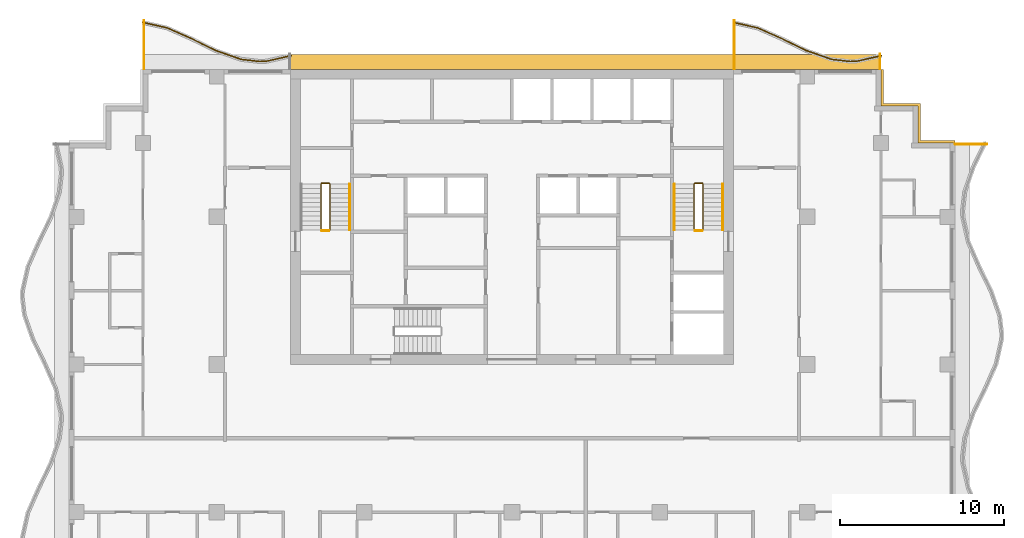
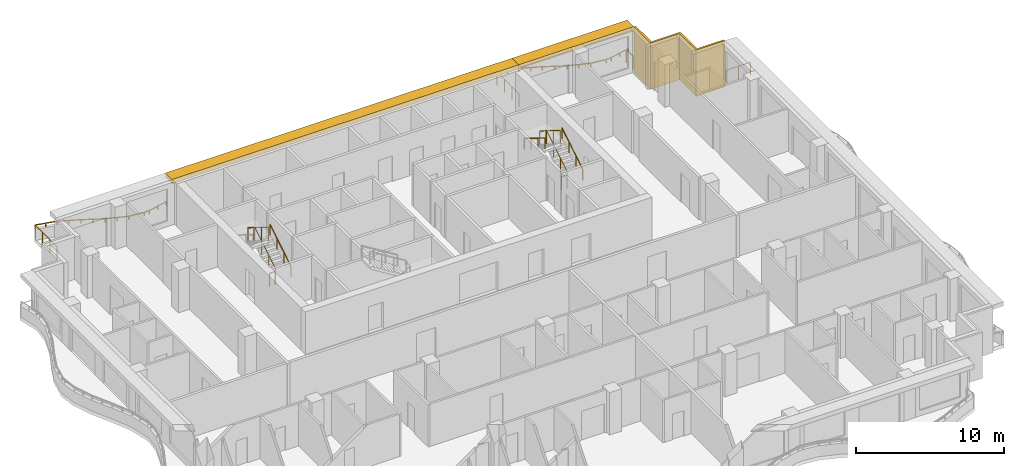
# One storey, part 11 of 11: 13 railings, 3 shading devices.
"""IFC4 building model written with IfcOpenShell, lengths in metres."""

from ifc_helpers import new_model, si_unit, direction, frame, origin, origin_2d, place, context, subcontext, project, spatial, polyline, rectangle, circle, outline, extrude, material, layer, layer_set, type_object, element, save


model = new_model("IFC4")

# Units and contexts
model_context = context("Model", 3, precision=1e-05, world=origin(), true_north=direction((0.0, 1.0)))
body_context = subcontext(model_context, "Body", "Model", "MODEL_VIEW")
ifc_project = project(units=[si_unit("LENGTHUNIT", "METRE"), si_unit("AREAUNIT", "SQUARE_METRE"), si_unit("VOLUMEUNIT", "CUBIC_METRE"), si_unit("PLANEANGLEUNIT", "RADIAN"), si_unit("MASSUNIT", "GRAM", prefix="KILO")], contexts=[model_context])

# Site, building, storey
site_placement = place(None, origin())
site = spatial("IfcSite", under=ifc_project, at=site_placement, CompositionType="ELEMENT")
building_placement = place(site_placement, origin())
building = spatial("IfcBuilding", under=site, at=building_placement, Name="Orbiselva Terraces", CompositionType="ELEMENT")
storey_placement = place(building_placement, frame((0.0, 0.0, 261.6)))
storey = spatial("IfcBuildingStorey", under=building, at=storey_placement, Name="L66", CompositionType="ELEMENT", Elevation=261.6)

# Railings
ifc_material_1 = material(Name="Stainless steel", Category="steel")
railing_type_1 = type_object("IfcRailingType", Name="CORE-GUARD-1100", PredefinedType="GUARDRAIL", material=ifc_material_1)
railing_1_placement = place(storey_placement, frame((-11.1, 12.7, 0.172727)))
element("IfcRailing", 1, at=railing_1_placement, inside=storey, type_object=railing_type_1, Name="L66 S1 stair guard 1", PredefinedType="GUARDRAIL", context=body_context, shape_type="SweptSolid", body=[
    extrude(circle(Radius=0.024, at=origin_2d()), frame((0.0, 0.0, 1.081), z_axis=(0.0, 0.851088519012, 0.52502222125), x_axis=(-1.0, 0.0, 0.0)), (0.0, 0.0, 1.0), 3.289905),
    extrude(circle(Radius=0.024, at=origin_2d()), frame((0.0, 2.8, 2.808273), z_axis=(-0.707106781187, 0.707106781187, 0.0), x_axis=(-0.707106781187, -0.707106781187, 0.0)), (0.0, 0.0, 1.0), 0.070711),
    extrude(circle(Radius=0.024, at=origin_2d()), frame((-0.05, 2.85, 2.808273), z_axis=(-1.0, 0.0, 0.0), x_axis=(0.0, -1.0, 0.0)), (0.0, 0.0, 1.0), 0.45),
    extrude(circle(Radius=0.024, at=origin_2d()), frame((-0.5, 2.85, 2.808273), z_axis=(-0.267894925557, -0.267894925557, 0.925453736133), x_axis=(0.707106781187, -0.707106781187, 0.0)), (0.0, 0.0, 1.0), 0.18664),
    extrude(circle(Radius=0.024, at=origin_2d()), frame((-0.55, 2.8, 2.981), z_axis=(0.0, -0.851088519012, 0.52502222125), x_axis=(1.0, 0.0, 0.0)), (0.0, 0.0, 1.0), 3.289905),
    extrude(circle(Radius=0.021, at=origin_2d()), origin(), (0.0, 0.0, 1.0), 1.057),
    extrude(circle(Radius=0.021, at=origin_2d()), frame((0.0, 0.933333, 0.575758)), (0.0, 0.0, 1.0), 1.057),
    extrude(circle(Radius=0.021, at=origin_2d()), frame((0.0, 1.866667, 1.151515)), (0.0, 0.0, 1.0), 1.057),
    extrude(circle(Radius=0.021, at=origin_2d()), frame((0.0, 2.8, 1.727273)), (0.0, 0.0, 1.0), 1.057),
    extrude(circle(Radius=0.021, at=origin_2d()), frame((-0.05, 2.85, 1.727273)), (0.0, 0.0, 1.0), 1.057),
    extrude(circle(Radius=0.021, at=origin_2d()), frame((-0.5, 2.85, 1.727273)), (0.0, 0.0, 1.0), 1.057),
    extrude(circle(Radius=0.021, at=origin_2d()), frame((-0.55, 2.8, 1.9)), (0.0, 0.0, 1.0), 1.057),
    extrude(circle(Radius=0.021, at=origin_2d()), frame((-0.55, 1.866667, 2.475758)), (0.0, 0.0, 1.0), 1.057),
    extrude(circle(Radius=0.021, at=origin_2d()), frame((-0.55, 0.933333, 3.051515)), (0.0, 0.0, 1.0), 1.057),
    extrude(circle(Radius=0.021, at=origin_2d()), frame((-0.55, 0.0, 3.627273)), (0.0, 0.0, 1.0), 1.057),
])
railing_2_placement = place(storey_placement, frame((-11.15, 12.65, 0.0)))
element("IfcRailing", 2, at=railing_2_placement, inside=storey, type_object=railing_type_1, Name="L66 S1 stair guard 2", PredefinedType="GUARDRAIL", context=body_context, shape_type="SweptSolid", body=[
    extrude(circle(Radius=0.024, at=origin_2d()), frame((0.0, 0.0, 1.081), z_axis=(-1.0, 0.0, 0.0), x_axis=(0.0, -1.0, 0.0)), (0.0, 0.0, 1.0), 0.45),
    extrude(circle(Radius=0.021, at=origin_2d()), origin(), (0.0, 0.0, 1.0), 1.057),
    extrude(circle(Radius=0.021, at=origin_2d()), frame((-0.45, 0.0, 0.0)), (0.0, 0.0, 1.0), 1.057),
])
railing_3_placement = place(storey_placement, frame((11.65, 12.7, 0.172727)))
element("IfcRailing", 3, at=railing_3_placement, inside=storey, type_object=railing_type_1, Name="L66 S2 stair guard 1", PredefinedType="GUARDRAIL", context=body_context, shape_type="SweptSolid", body=[
    extrude(circle(Radius=0.024, at=origin_2d()), frame((0.0, 0.0, 1.081), z_axis=(0.0, 0.851088519012, 0.52502222125), x_axis=(-1.0, 0.0, 0.0)), (0.0, 0.0, 1.0), 3.289905),
    extrude(circle(Radius=0.024, at=origin_2d()), frame((0.0, 2.8, 2.808273), z_axis=(-0.707106781187, 0.707106781187, 0.0), x_axis=(-0.707106781187, -0.707106781187, 0.0)), (0.0, 0.0, 1.0), 0.070711),
    extrude(circle(Radius=0.024, at=origin_2d()), frame((-0.05, 2.85, 2.808273), z_axis=(-1.0, 0.0, 0.0), x_axis=(0.0, -1.0, 0.0)), (0.0, 0.0, 1.0), 0.45),
    extrude(circle(Radius=0.024, at=origin_2d()), frame((-0.5, 2.85, 2.808273), z_axis=(-0.267894925557, -0.267894925557, 0.925453736133), x_axis=(0.707106781187, -0.707106781187, 0.0)), (0.0, 0.0, 1.0), 0.18664),
    extrude(circle(Radius=0.024, at=origin_2d()), frame((-0.55, 2.8, 2.981), z_axis=(0.0, -0.851088519012, 0.52502222125), x_axis=(1.0, 0.0, 0.0)), (0.0, 0.0, 1.0), 3.289905),
    extrude(circle(Radius=0.021, at=origin_2d()), origin(), (0.0, 0.0, 1.0), 1.057),
    extrude(circle(Radius=0.021, at=origin_2d()), frame((0.0, 0.933333, 0.575758)), (0.0, 0.0, 1.0), 1.057),
    extrude(circle(Radius=0.021, at=origin_2d()), frame((0.0, 1.866667, 1.151515)), (0.0, 0.0, 1.0), 1.057),
    extrude(circle(Radius=0.021, at=origin_2d()), frame((0.0, 2.8, 1.727273)), (0.0, 0.0, 1.0), 1.057),
    extrude(circle(Radius=0.021, at=origin_2d()), frame((-0.05, 2.85, 1.727273)), (0.0, 0.0, 1.0), 1.057),
    extrude(circle(Radius=0.021, at=origin_2d()), frame((-0.5, 2.85, 1.727273)), (0.0, 0.0, 1.0), 1.057),
    extrude(circle(Radius=0.021, at=origin_2d()), frame((-0.55, 2.8, 1.9)), (0.0, 0.0, 1.0), 1.057),
    extrude(circle(Radius=0.021, at=origin_2d()), frame((-0.55, 1.866667, 2.475758)), (0.0, 0.0, 1.0), 1.057),
    extrude(circle(Radius=0.021, at=origin_2d()), frame((-0.55, 0.933333, 3.051515)), (0.0, 0.0, 1.0), 1.057),
    extrude(circle(Radius=0.021, at=origin_2d()), frame((-0.55, 0.0, 3.627273)), (0.0, 0.0, 1.0), 1.057),
])
railing_4_placement = place(storey_placement, frame((11.6, 12.65, 0.0)))
element("IfcRailing", 4, at=railing_4_placement, inside=storey, type_object=railing_type_1, Name="L66 S2 stair guard 2", PredefinedType="GUARDRAIL", context=body_context, shape_type="SweptSolid", body=[
    extrude(circle(Radius=0.024, at=origin_2d()), frame((0.0, 0.0, 1.081), z_axis=(-1.0, 0.0, 0.0), x_axis=(0.0, -1.0, 0.0)), (0.0, 0.0, 1.0), 0.45),
    extrude(circle(Radius=0.021, at=origin_2d()), origin(), (0.0, 0.0, 1.0), 1.057),
    extrude(circle(Radius=0.021, at=origin_2d()), frame((-0.45, 0.0, 0.0)), (0.0, 0.0, 1.0), 1.057),
])
railing_type_2 = type_object("IfcRailingType", Name="CORE-HANDRAIL-900", PredefinedType="HANDRAIL", material=ifc_material_1)
for number, where, name in (
    (5, (-9.9, 12.7, 0.172727), "L66 S1 stair handrail 1"),
    (6, (12.85, 12.7, 0.172727), "L66 S2 stair handrail 1"),
):
    element("IfcRailing", number, at=place(storey_placement, frame(where)), inside=storey, type_object=railing_type_2, Name=name, PredefinedType="HANDRAIL", context=body_context, shape_type="SweptSolid", body=[
        extrude(circle(Radius=0.024, at=origin_2d()), frame((0.0, 0.0, 0.876), z_axis=(0.0, 0.851088519012, 0.52502222125), x_axis=(-1.0, 0.0, 0.0)), (0.0, 0.0, 1.0), 3.289905),
        extrude(circle(Radius=0.021, at=origin_2d()), origin(), (0.0, 0.0, 1.0), 0.852),
        extrude(circle(Radius=0.021, at=origin_2d()), frame((0.0, 0.933333, 0.575758)), (0.0, 0.0, 1.0), 0.852),
        extrude(circle(Radius=0.021, at=origin_2d()), frame((0.0, 1.866667, 1.151515)), (0.0, 0.0, 1.0), 0.852),
        extrude(circle(Radius=0.021, at=origin_2d()), frame((0.0, 2.8, 1.727273)), (0.0, 0.0, 1.0), 0.852),
    ])
railing_5_placement = place(storey_placement, frame((9.9, 15.5, 2.072727)))
element("IfcRailing", 7, at=railing_5_placement, inside=storey, type_object=railing_type_2, Name="L66 S2 stair handrail 2", PredefinedType="HANDRAIL", context=body_context, shape_type="SweptSolid", body=[
    extrude(circle(Radius=0.024, at=origin_2d()), frame((0.0, 0.0, 0.876), z_axis=(0.0, -0.851088519012, 0.52502222125), x_axis=(1.0, 0.0, 0.0)), (0.0, 0.0, 1.0), 3.289905),
    extrude(circle(Radius=0.021, at=origin_2d()), origin(), (0.0, 0.0, 1.0), 0.852),
    extrude(circle(Radius=0.021, at=origin_2d()), frame((0.0, -0.933333, 0.575758)), (0.0, 0.0, 1.0), 0.852),
    extrude(circle(Radius=0.021, at=origin_2d()), frame((0.0, -1.866667, 1.151515)), (0.0, 0.0, 1.0), 0.852),
    extrude(circle(Radius=0.021, at=origin_2d()), frame((0.0, -2.8, 1.727273)), (0.0, 0.0, 1.0), 0.852),
])
ifc_material_2 = material(Name="Bonded two-ply safety glass balustrade, stainless steel posts", Category="steel")
railing_type_3 = type_object("IfcRailingType", Name="ENV-BALUSTRADE-1200", PredefinedType="BALUSTRADE", material=ifc_material_2)
railing_6_placement = place(storey_placement, frame((22.527377, 23.329507, 0.9)))
element("IfcRailing", 8, at=railing_6_placement, inside=storey, type_object=railing_type_3, Name="Balcony balustrade L66 NE", PredefinedType="BALUSTRADE", context=body_context, shape_type="SweptSolid", body=[
    extrude(outline(polyline([(0.028868, 0.0), (0.014434, 0.025), (-0.014434, 0.025), (-0.028868, 0.0), (-0.014434, -0.025), (0.014434, -0.025), (0.028868, 0.0)])), frame((0.0, 0.0, 0.275), z_axis=(-0.97572138316, -0.219015484484, 0.0), x_axis=(0.219015484484, -0.97572138316, 0.0)), (0.0, 0.0, 1.0), 1.548694),
    extrude(outline(polyline([(0.028868, 0.0), (0.014434, 0.025), (-0.014434, 0.025), (-0.028868, 0.0), (-0.014434, -0.025), (0.014434, -0.025), (0.028868, 0.0)])), frame((-1.511094, -0.339188, 0.275), z_axis=(-0.999224734286, -0.03936915532, 0.0), x_axis=(0.03936915532, -0.999224734286, 0.0)), (0.0, 0.0, 1.0), 0.396376),
    extrude(outline(polyline([(0.028868, 0.0), (0.014434, 0.025), (-0.014434, 0.025), (-0.028868, 0.0), (-0.014434, -0.025), (0.014434, -0.025), (0.028868, 0.0)])), frame((-1.907163, -0.354793, 0.275), z_axis=(-0.993309551734, 0.115482182324, 0.0), x_axis=(-0.115482182324, -0.993309551734, 0.0)), (0.0, 0.0, 1.0), 1.156135),
    extrude(outline(polyline([(0.028868, 0.0), (0.014434, 0.025), (-0.014434, 0.025), (-0.028868, 0.0), (-0.014434, -0.025), (0.014434, -0.025), (0.028868, 0.0)])), frame((-3.055563, -0.22128, 0.275), z_axis=(-0.943972332783, 0.330024597479, 0.0), x_axis=(-0.330024597479, -0.943972332783, 0.0)), (0.0, 0.0, 1.0), 1.610253),
    extrude(outline(polyline([(0.028868, 0.0), (0.014434, 0.025), (-0.014434, 0.025), (-0.028868, 0.0), (-0.014434, -0.025), (0.014434, -0.025), (0.028868, 0.0)])), frame((-4.575597, 0.310143, 0.275), z_axis=(-0.898578870221, 0.438812048596, 0.0), x_axis=(-0.438812048596, -0.898578870221, 0.0)), (0.0, 0.0, 1.0), 1.674225),
    extrude(outline(polyline([(0.028868, 0.0), (0.014434, 0.025), (-0.014434, 0.025), (-0.028868, 0.0), (-0.014434, -0.025), (0.014434, -0.025), (0.028868, 0.0)])), frame((-6.08002, 1.044813, 0.275), z_axis=(-0.915133363686, 0.403151245402, 0.0), x_axis=(-0.403151245402, -0.915133363686, 0.0)), (0.0, 0.0, 1.0), 1.624475),
    extrude(outline(polyline([(0.028868, 0.0), (0.014434, 0.025), (-0.014434, 0.025), (-0.028868, 0.0), (-0.014434, -0.025), (0.014434, -0.025), (0.028868, 0.0)])), frame((-7.566631, 1.699722, 0.275), z_axis=(-0.975721356559, 0.219015602994, 0.0), x_axis=(-0.219015602994, -0.975721356559, 0.0)), (0.0, 0.0, 1.0), 1.525152),
    extrude(rectangle(XDim=0.05, YDim=0.05, at=origin_2d()), origin(), (0.0, 0.0, 1.0), 0.25),
    extrude(rectangle(XDim=0.05, YDim=0.05, at=origin_2d()), frame((-0.755547, -0.169594, 0.0)), (0.0, 0.0, 1.0), 0.25),
    extrude(rectangle(XDim=0.05, YDim=0.05, at=origin_2d()), frame((-1.511094, -0.339188, 0.0)), (0.0, 0.0, 1.0), 0.25),
    extrude(rectangle(XDim=0.05, YDim=0.05, at=origin_2d()), frame((-1.907163, -0.354793, 0.0)), (0.0, 0.0, 1.0), 0.25),
    extrude(rectangle(XDim=0.05, YDim=0.05, at=origin_2d()), frame((-3.055563, -0.22128, 0.0)), (0.0, 0.0, 1.0), 0.25),
    extrude(rectangle(XDim=0.05, YDim=0.05, at=origin_2d()), frame((-3.81558, 0.044431, 0.0)), (0.0, 0.0, 1.0), 0.25),
    extrude(rectangle(XDim=0.05, YDim=0.05, at=origin_2d()), frame((-4.575597, 0.310143, 0.0)), (0.0, 0.0, 1.0), 0.25),
    extrude(rectangle(XDim=0.05, YDim=0.05, at=origin_2d()), frame((-5.327809, 0.677478, 0.0)), (0.0, 0.0, 1.0), 0.25),
    extrude(rectangle(XDim=0.05, YDim=0.05, at=origin_2d()), frame((-6.08002, 1.044813, 0.0)), (0.0, 0.0, 1.0), 0.25),
    extrude(rectangle(XDim=0.05, YDim=0.05, at=origin_2d()), frame((-6.823326, 1.372268, 0.0)), (0.0, 0.0, 1.0), 0.25),
    extrude(rectangle(XDim=0.05, YDim=0.05, at=origin_2d()), frame((-7.566631, 1.699722, 0.0)), (0.0, 0.0, 1.0), 0.25),
    extrude(rectangle(XDim=0.05, YDim=0.05, at=origin_2d()), frame((-8.310693, 1.866738, 0.0)), (0.0, 0.0, 1.0), 0.25),
    extrude(rectangle(XDim=0.05, YDim=0.05, at=origin_2d()), frame((-9.054754, 2.033754, 0.0)), (0.0, 0.0, 1.0), 0.25),
])
railing_7_placement = place(storey_placement, frame((-13.472623, 23.329507, 0.9)))
element("IfcRailing", 9, at=railing_7_placement, inside=storey, type_object=railing_type_3, Name="Balcony balustrade L66 NW", PredefinedType="BALUSTRADE", context=body_context, shape_type="SweptSolid", body=[
    extrude(outline(polyline([(0.028868, 0.0), (0.014434, 0.025), (-0.014434, 0.025), (-0.028868, 0.0), (-0.014434, -0.025), (0.014434, -0.025), (0.028868, 0.0)])), frame((0.0, 0.0, 0.275), z_axis=(-0.97572138316, -0.219015484484, 0.0), x_axis=(0.219015484484, -0.97572138316, 0.0)), (0.0, 0.0, 1.0), 1.548694),
    extrude(outline(polyline([(0.028868, 0.0), (0.014434, 0.025), (-0.014434, 0.025), (-0.028868, 0.0), (-0.014434, -0.025), (0.014434, -0.025), (0.028868, 0.0)])), frame((-1.511094, -0.339188, 0.275), z_axis=(-0.999224734286, -0.03936915532, 0.0), x_axis=(0.03936915532, -0.999224734286, 0.0)), (0.0, 0.0, 1.0), 0.396376),
    extrude(outline(polyline([(0.028868, 0.0), (0.014434, 0.025), (-0.014434, 0.025), (-0.028868, 0.0), (-0.014434, -0.025), (0.014434, -0.025), (0.028868, 0.0)])), frame((-1.907163, -0.354793, 0.275), z_axis=(-0.993309551734, 0.115482182324, 0.0), x_axis=(-0.115482182324, -0.993309551734, 0.0)), (0.0, 0.0, 1.0), 1.156135),
    extrude(outline(polyline([(0.028868, 0.0), (0.014434, 0.025), (-0.014434, 0.025), (-0.028868, 0.0), (-0.014434, -0.025), (0.014434, -0.025), (0.028868, 0.0)])), frame((-3.055563, -0.22128, 0.275), z_axis=(-0.943972332783, 0.330024597479, 0.0), x_axis=(-0.330024597479, -0.943972332783, 0.0)), (0.0, 0.0, 1.0), 1.610253),
    extrude(outline(polyline([(0.028868, 0.0), (0.014434, 0.025), (-0.014434, 0.025), (-0.028868, 0.0), (-0.014434, -0.025), (0.014434, -0.025), (0.028868, 0.0)])), frame((-4.575597, 0.310143, 0.275), z_axis=(-0.898578870221, 0.438812048596, 0.0), x_axis=(-0.438812048596, -0.898578870221, 0.0)), (0.0, 0.0, 1.0), 1.674225),
    extrude(outline(polyline([(0.028868, 0.0), (0.014434, 0.025), (-0.014434, 0.025), (-0.028868, 0.0), (-0.014434, -0.025), (0.014434, -0.025), (0.028868, 0.0)])), frame((-6.08002, 1.044813, 0.275), z_axis=(-0.915133363686, 0.403151245402, 0.0), x_axis=(-0.403151245402, -0.915133363686, 0.0)), (0.0, 0.0, 1.0), 1.624475),
    extrude(outline(polyline([(0.028868, 0.0), (0.014434, 0.025), (-0.014434, 0.025), (-0.028868, 0.0), (-0.014434, -0.025), (0.014434, -0.025), (0.028868, 0.0)])), frame((-7.566631, 1.699722, 0.275), z_axis=(-0.975721356559, 0.219015602994, 0.0), x_axis=(-0.219015602994, -0.975721356559, 0.0)), (0.0, 0.0, 1.0), 1.525152),
    extrude(rectangle(XDim=0.05, YDim=0.05, at=origin_2d()), origin(), (0.0, 0.0, 1.0), 0.25),
    extrude(rectangle(XDim=0.05, YDim=0.05, at=origin_2d()), frame((-0.755547, -0.169594, 0.0)), (0.0, 0.0, 1.0), 0.25),
    extrude(rectangle(XDim=0.05, YDim=0.05, at=origin_2d()), frame((-1.511094, -0.339188, 0.0)), (0.0, 0.0, 1.0), 0.25),
    extrude(rectangle(XDim=0.05, YDim=0.05, at=origin_2d()), frame((-1.907163, -0.354793, 0.0)), (0.0, 0.0, 1.0), 0.25),
    extrude(rectangle(XDim=0.05, YDim=0.05, at=origin_2d()), frame((-3.055563, -0.22128, 0.0)), (0.0, 0.0, 1.0), 0.25),
    extrude(rectangle(XDim=0.05, YDim=0.05, at=origin_2d()), frame((-3.81558, 0.044431, 0.0)), (0.0, 0.0, 1.0), 0.25),
    extrude(rectangle(XDim=0.05, YDim=0.05, at=origin_2d()), frame((-4.575597, 0.310143, 0.0)), (0.0, 0.0, 1.0), 0.25),
    extrude(rectangle(XDim=0.05, YDim=0.05, at=origin_2d()), frame((-5.327808, 0.677478, 0.0)), (0.0, 0.0, 1.0), 0.25),
    extrude(rectangle(XDim=0.05, YDim=0.05, at=origin_2d()), frame((-6.08002, 1.044813, 0.0)), (0.0, 0.0, 1.0), 0.25),
    extrude(rectangle(XDim=0.05, YDim=0.05, at=origin_2d()), frame((-6.823325, 1.372268, 0.0)), (0.0, 0.0, 1.0), 0.25),
    extrude(rectangle(XDim=0.05, YDim=0.05, at=origin_2d()), frame((-7.566631, 1.699722, 0.0)), (0.0, 0.0, 1.0), 0.25),
    extrude(rectangle(XDim=0.05, YDim=0.05, at=origin_2d()), frame((-8.310692, 1.866738, 0.0)), (0.0, 0.0, 1.0), 0.25),
    extrude(rectangle(XDim=0.05, YDim=0.05, at=origin_2d()), frame((-9.054754, 2.033754, 0.0)), (0.0, 0.0, 1.0), 0.25),
])
ifc_material_3 = material(Name="Stainless steel rail and posts", Category="steel")
railing_type_4 = type_object("IfcRailingType", Name="ENV-GUARD-1105", PredefinedType="BALUSTRADE", material=ifc_material_3)
railing_8_placement = place(storey_placement, frame((28.957877, 17.94, 0.0)))
element("IfcRailing", 10, at=railing_8_placement, inside=storey, type_object=railing_type_4, Name="Balcony end guard L66 E", PredefinedType="BALUSTRADE", context=body_context, shape_type="SweptSolid", body=[
    extrude(outline(polyline([(0.028868, 0.0), (0.014434, 0.025), (-0.014434, 0.025), (-0.028868, 0.0), (-0.014434, -0.025), (0.014434, -0.025), (0.028868, 0.0)])), frame((0.0, 0.0, 1.08), z_axis=(-1.0, 0.0, 0.0), x_axis=(0.0, -1.0, 0.0)), (0.0, 0.0, 1.0), 1.932877),
    extrude(rectangle(XDim=0.05, YDim=0.05, at=origin_2d()), origin(), (0.0, 0.0, 1.0), 1.055),
    extrude(rectangle(XDim=0.05, YDim=0.05, at=origin_2d()), frame((-0.966439, 0.0, 0.0)), (0.0, 0.0, 1.0), 1.055),
    extrude(rectangle(XDim=0.05, YDim=0.05, at=origin_2d()), frame((-1.932877, 0.0, 0.0)), (0.0, 0.0, 1.0), 1.055),
])
railing_9_placement = place(storey_placement, frame((22.44, 23.430416, 0.0)))
element("IfcRailing", 11, at=railing_9_placement, inside=storey, type_object=railing_type_4, Name="Balcony end guard L66 NE", PredefinedType="BALUSTRADE", context=body_context, shape_type="SweptSolid", body=[
    extrude(outline(polyline([(0.028868, 0.0), (0.014434, 0.025), (-0.014434, 0.025), (-0.028868, 0.0), (-0.014434, -0.025), (0.014434, -0.025), (0.028868, 0.0)])), frame((0.0, 0.0, 1.08), z_axis=(0.0, -1.0, 0.0), x_axis=(1.0, 0.0, 0.0)), (0.0, 0.0, 1.0), 0.905416),
    extrude(rectangle(XDim=0.05, YDim=0.05, at=origin_2d()), origin(), (0.0, 0.0, 1.0), 1.055),
    extrude(rectangle(XDim=0.05, YDim=0.05, at=origin_2d()), frame((0.0, -0.905416, 0.0)), (0.0, 0.0, 1.0), 1.055),
])
for number, where, name in (
    (12, (13.56, 25.480134, 0.0), "Balcony end guard L66 NE"),
    (13, (-22.44, 25.480134, 0.0), "Balcony end guard L66 NW"),
):
    element("IfcRailing", number, at=place(storey_placement, frame(where)), inside=storey, type_object=railing_type_4, Name=name, PredefinedType="BALUSTRADE", context=body_context, shape_type="SweptSolid", body=[
        extrude(outline(polyline([(0.028868, 0.0), (0.014434, 0.025), (-0.014434, 0.025), (-0.028868, 0.0), (-0.014434, -0.025), (0.014434, -0.025), (0.028868, 0.0)])), frame((0.0, 0.0, 1.08), z_axis=(0.0, -1.0, 0.0), x_axis=(1.0, 0.0, 0.0)), (0.0, 0.0, 1.0), 2.955134),
        extrude(rectangle(XDim=0.05, YDim=0.05, at=origin_2d()), origin(), (0.0, 0.0, 1.0), 1.055),
        extrude(rectangle(XDim=0.05, YDim=0.05, at=origin_2d()), frame((0.0, -0.985045, 0.0)), (0.0, 0.0, 1.0), 1.055),
        extrude(rectangle(XDim=0.05, YDim=0.05, at=origin_2d()), frame((0.0, -1.970089, 0.0)), (0.0, 0.0, 1.0), 1.055),
        extrude(rectangle(XDim=0.05, YDim=0.05, at=origin_2d()), frame((0.0, -2.955134, 0.0)), (0.0, 0.0, 1.0), 1.055),
    ])

# Shading devices
ifc_material_4 = material(Name="Terracotta louvre screen", Category="masonry")
ifc_layer_1 = layer(ifc_material_4, 0.15)
ifc_layer_set_1 = layer_set([ifc_layer_1], Name="Terracotta louvre screen")
shading_device_type_1 = type_object("IfcShadingDeviceType", Name="ENV-SCREEN-150", PredefinedType="USERDEFINED", material=ifc_layer_set_1)
shading_device_1_placement = place(storey_placement, frame((0.0, 0.0, -0.3)))
element("IfcShadingDevice", 14, at=shading_device_1_placement, inside=storey, type_object=shading_device_type_1, Name="Louvre screen L66 NE", ObjectType="SCREEN", PredefinedType="USERDEFINED", context=body_context, shape_type="SweptSolid", body=[
    extrude(outline(polyline([(27.0, 18.15), (24.9, 18.15), (24.9, 20.4), (22.65, 20.4), (22.65, 22.5), (22.5, 22.5), (22.5, 20.25), (24.75, 20.25), (24.75, 18.0), (27.0, 18.0), (27.0, 18.15)])), origin(), (0.0, 0.0, 1.0), 3.8),
])
ifc_material_5 = material(Name="Terracotta baguette sunshade", Category="masonry")
ifc_layer_2 = layer(ifc_material_5, 0.35)
ifc_layer_set_2 = layer_set([ifc_layer_2], Name="Terracotta baguette sunshade")
shading_device_type_2 = type_object("IfcShadingDeviceType", Name="ENV-SUNSHADE-900x350", PredefinedType="USERDEFINED", material=ifc_layer_set_2)
shading_device_2_placement = place(storey_placement, frame((0.0, 0.0, 3.15)))
element("IfcShadingDevice", 15, at=shading_device_2_placement, inside=storey, type_object=shading_device_type_2, Name="Sunshade band L66 NE", ObjectType="SUNSHADE", PredefinedType="USERDEFINED", context=body_context, shape_type="SweptSolid", body=[
    extrude(outline(polyline([(22.5, 23.4), (13.5, 23.4), (13.5, 22.5), (22.5, 22.5), (22.5, 23.4)])), origin(), (0.0, 0.0, 1.0), 0.35),
])
shading_device_3_placement = place(storey_placement, frame((0.0, 0.0, 3.15)))
element("IfcShadingDevice", 16, at=shading_device_3_placement, inside=storey, type_object=shading_device_type_2, Name="Sunshade band L66 CORE NORTH", ObjectType="SUNSHADE", PredefinedType="USERDEFINED", context=body_context, shape_type="SweptSolid", body=[
    extrude(outline(polyline([(13.5, 23.4), (-13.5, 23.4), (-13.5, 22.5), (13.5, 22.5), (13.5, 23.4)])), origin(), (0.0, 0.0, 1.0), 0.35),
])

save(model, "model.ifc")
